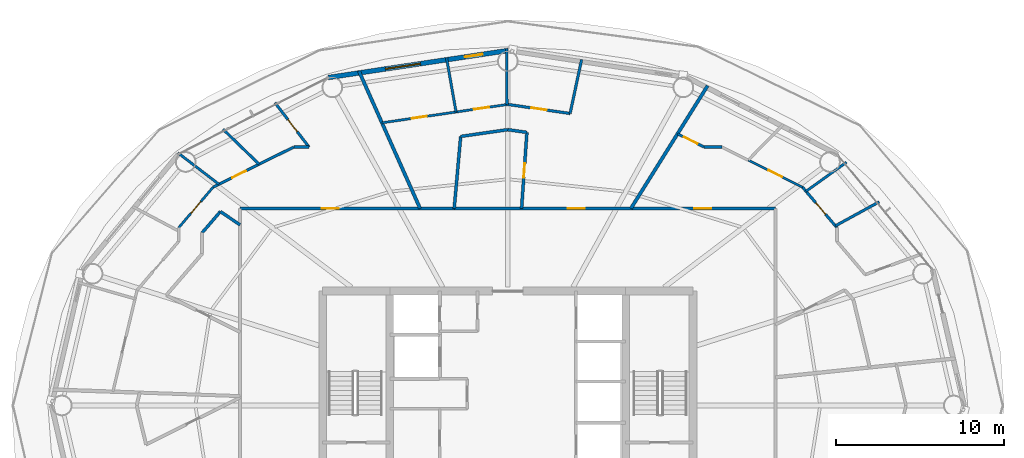
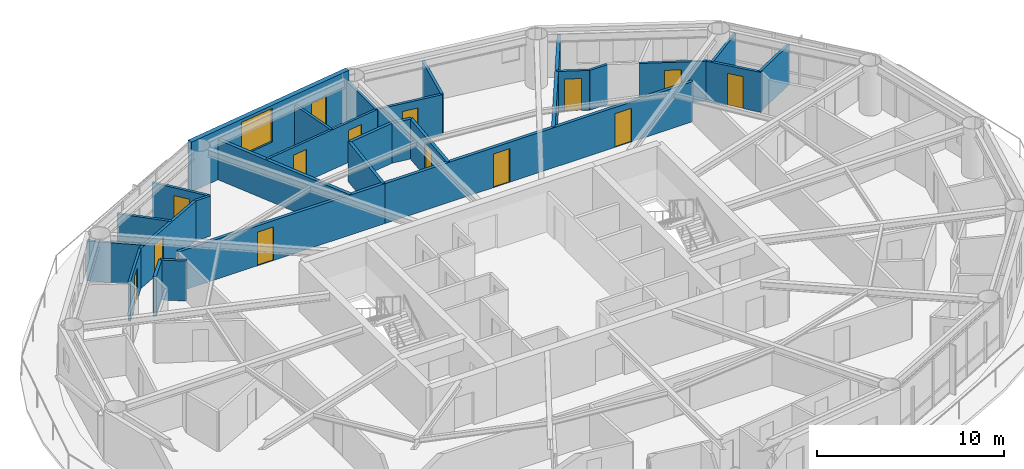
# One storey, part 24 of 28: 28 walls, 14 doors, 1 window, 15 openings.
"""IFC4 building model written with IfcOpenShell, lengths in metres."""

from ifc_helpers import new_model, si_unit, direction, frame, frame_2d, origin, place, context, subcontext, project, spatial, rectangle, extrude, material, layer, layer_set, type_object, element, fill, save


model = new_model("IFC4")

# Units and contexts
model_context = context("Model", 3, precision=1e-05, world=origin(), true_north=direction((0.0, 1.0)))
body_context = subcontext(model_context, "Body", "Model", "MODEL_VIEW")
ifc_project = project(units=[si_unit("LENGTHUNIT", "METRE"), si_unit("AREAUNIT", "SQUARE_METRE"), si_unit("VOLUMEUNIT", "CUBIC_METRE"), si_unit("PLANEANGLEUNIT", "RADIAN"), si_unit("MASSUNIT", "GRAM", prefix="KILO")], contexts=[model_context])

# Site, building, storey
site_placement = place(None, origin())
site = spatial("IfcSite", under=ifc_project, at=site_placement, CompositionType="ELEMENT")
building_placement = place(site_placement, origin())
building = spatial("IfcBuilding", under=site, at=building_placement, Name="Sarneth Arch Tower", CompositionType="ELEMENT")
storey_placement = place(building_placement, frame((0.0, 0.0, 197.39990234375)))
storey = spatial("IfcBuildingStorey", under=building, at=storey_placement, Name="L50", CompositionType="ELEMENT", Elevation=197.39990234375)

# Wall, opening, door
ifc_material_1 = material(Name="Double steel-stud corridor fire wall", Category="steel")
ifc_layer_1 = layer(ifc_material_1, 0.18994140625)
ifc_layer_set_1 = layer_set([ifc_layer_1], Name="Double steel-stud corridor fire wall")
wall_type_1 = type_object("IfcWallType", Name="WALL-CORR-190", PredefinedType="PARTITIONING", material=ifc_layer_set_1)
wall_1_placement = place(storey_placement, frame((32.10009765625, 53.699951171875, 0.0), z_axis=(0.0, 0.0, 1.0), x_axis=(1.0, 0.0, 0.0)))
wall_1 = element("IfcWall", 1, at=wall_1_placement, inside=storey, type_object=wall_type_1, Name="L50 Interior partition W-L50-TP-009", PredefinedType="PARTITIONING", context=body_context, shape_type="SweptSolid", body=[
    extrude(rectangle(XDim=12.748046875, YDim=0.18994140625, at=frame_2d((6.3740234375, 0.0))), origin(), (0.0, 0.0, 1.0), 2.610107421875),
])
opening_1_placement = place(wall_1_placement, frame((4.86279296875, 0.0, 0.0)))
opening_1 = element("IfcOpeningElement", 2, at=opening_1_placement, cuts=wall_1, Name="Opening FD-08", PredefinedType="OPENING", context=body_context, shape_type="SweptSolid", body=[
    extrude(rectangle(XDim=1.0, YDim=2.199951171875, at=frame_2d((0.5, 1.10009765625))), frame((0.0, 0.10498046875, 0.0), z_axis=(0.0, -1.0, 0.0), x_axis=(1.0, 0.0, 0.0)), (0.0, 0.0, 1.0), 0.2099609375),
])
ifc_material_2 = material(Name="Hardwood timber acoustic fire door", Category="wood")
door_type_1 = type_object("IfcDoorType", Name="DR-FD60-1000", OperationType="SINGLE_SWING_LEFT", PredefinedType="DOOR", material=ifc_material_2)
door_1_placement = place(opening_1_placement, origin())
door_1 = element("IfcDoor", 3, at=door_1_placement, inside=storey, type_object=door_type_1, Name="L50 Interior door DR-L50-U3-ENT", OperationType="SINGLE_SWING_LEFT", OverallHeight=2.199951171875, OverallWidth=1.0, PredefinedType="DOOR", context=body_context, shape_type="SweptSolid", body=[
    extrude(rectangle(XDim=1.0, YDim=2.199951171875, at=frame_2d((0.5, 1.10009765625))), frame((0.0, 0.02490234375, 0.0), z_axis=(0.0, -1.0, 0.0), x_axis=(1.0, 0.0, 0.0)), (0.0, 0.0, 1.0), 0.050048828125),
])
fill(opening_1, door_1)

# Wall, openings, doors
wall_2_placement = place(storey_placement, frame((44.783935546875, 53.699951171875, 0.0), z_axis=(0.0, 0.0, 1.0), x_axis=(1.0, 0.0, 0.0)))
wall_2 = element("IfcWall", 4, at=wall_2_placement, inside=storey, type_object=wall_type_1, Name="L50 Interior partition W-L50-TP-001", PredefinedType="PARTITIONING", context=body_context, shape_type="SweptSolid", body=[
    extrude(rectangle(XDim=19.115966796875, YDim=0.18994140625, at=frame_2d((9.55810546875, 0.0))), origin(), (0.0, 0.0, 1.0), 2.610107421875),
])
opening_2_placement = place(wall_2_placement, frame((14.302490234375, 0.0, 0.0)))
opening_2 = element("IfcOpeningElement", 5, at=opening_2_placement, cuts=wall_2, Name="Opening FD-08", PredefinedType="OPENING", context=body_context, shape_type="SweptSolid", body=[
    extrude(rectangle(XDim=1.0, YDim=2.199951171875, at=frame_2d((0.5, 1.10009765625))), frame((0.0, 0.10498046875, 0.0), z_axis=(0.0, -1.0, 0.0), x_axis=(1.0, 0.0, 0.0)), (0.0, 0.0, 1.0), 0.2099609375),
])
opening_3_placement = place(wall_2_placement, frame((6.783203125, 0.0, 0.0)))
opening_3 = element("IfcOpeningElement", 6, at=opening_3_placement, cuts=wall_2, Name="Opening FD-08", PredefinedType="OPENING", context=body_context, shape_type="SweptSolid", body=[
    extrude(rectangle(XDim=1.0, YDim=2.199951171875, at=frame_2d((0.5, 1.10009765625))), frame((0.0, 0.10498046875, 0.0), z_axis=(0.0, -1.0, 0.0), x_axis=(1.0, 0.0, 0.0)), (0.0, 0.0, 1.0), 0.2099609375),
])
door_2_placement = place(opening_2_placement, origin())
door_2 = element("IfcDoor", 7, at=door_2_placement, inside=storey, type_object=door_type_1, Name="L50 Interior door DR-L50-U1-ENT", OperationType="SINGLE_SWING_LEFT", OverallHeight=2.199951171875, OverallWidth=1.0, PredefinedType="DOOR", context=body_context, shape_type="SweptSolid", body=[
    extrude(rectangle(XDim=1.0, YDim=2.199951171875, at=frame_2d((0.5, 1.10009765625))), frame((0.0, 0.02490234375, 0.0), z_axis=(0.0, -1.0, 0.0), x_axis=(1.0, 0.0, 0.0)), (0.0, 0.0, 1.0), 0.050048828125),
])
fill(opening_2, door_2)
door_3_placement = place(opening_3_placement, origin())
door_3 = element("IfcDoor", 8, at=door_3_placement, inside=storey, type_object=door_type_1, Name="L50 Interior door DR-L50-U2-ENT", OperationType="SINGLE_SWING_RIGHT", OverallHeight=2.199951171875, OverallWidth=1.0, PredefinedType="DOOR", context=body_context, shape_type="SweptSolid", body=[
    extrude(rectangle(XDim=1.0, YDim=2.199951171875, at=frame_2d((0.5, 1.10009765625))), frame((0.0, 0.02490234375, 0.0), z_axis=(0.0, -1.0, 0.0), x_axis=(1.0, 0.0, 0.0)), (0.0, 0.0, 1.0), 0.050048828125),
])
fill(opening_3, door_3)

# Wall, openings, door, window
ifc_material_3 = material(Name="Extruded terracotta rainscreen on Concrete C40/50 backing", Category="masonry")
ifc_layer_2 = layer(ifc_material_3, 0.280029296875)
ifc_layer_set_2 = layer_set([ifc_layer_2], Name="Extruded terracotta rainscreen on Concrete C40/50 backing")
wall_type_2 = type_object("IfcWallType", Name="WALL-EXT-TERRA-280", PredefinedType="SOLIDWALL", material=ifc_layer_set_2)
wall_3_placement = place(storey_placement, frame((48.0, 63.080078125, 0.0), z_axis=(0.0, 0.0, 1.0), x_axis=(-0.988863993413, -0.148822049884, 0.0)))
wall_3 = element("IfcWall", 9, at=wall_3_placement, inside=storey, type_object=wall_type_2, Name="L50 Terracotta perimeter wall 05", PredefinedType="SOLIDWALL", context=body_context, shape_type="SweptSolid", body=[
    extrude(rectangle(XDim=10.782958984375, YDim=0.280029296875, at=frame_2d((5.3916015625, 0.0))), origin(), (0.0, 0.0, 1.0), 3.25),
])
opening_4_placement = place(wall_3_placement, frame((1.523681640625, 0.0, 0.0)))
opening_4 = element("IfcOpeningElement", 10, at=opening_4_placement, cuts=wall_3, Name="Opening BD-4", PredefinedType="OPENING", context=body_context, shape_type="SweptSolid", body=[
    extrude(rectangle(XDim=1.050048828125, YDim=2.199951171875, at=frame_2d((0.52490234375, 1.10009765625))), frame((0.0, 0.14990234375, 0.0), z_axis=(0.0, -1.0, 0.0), x_axis=(1.0, 0.0, 0.0)), (0.0, 0.0, 1.0), 0.300048828125),
])
opening_5_placement = place(wall_3_placement, frame((5.245849609375, 0.0, 0.85009765625)))
opening_5 = element("IfcOpeningElement", 11, at=opening_5_placement, cuts=wall_3, Name="Opening W-03", PredefinedType="OPENING", context=body_context, shape_type="SweptSolid", body=[
    extrude(rectangle(XDim=2.10009765625, YDim=2.199951171875, at=frame_2d((1.050048828125, 1.10009765625))), frame((0.0, 0.14990234375, 0.0), z_axis=(0.0, -1.0, 0.0), x_axis=(1.0, 0.0, 0.0)), (0.0, 0.0, 1.0), 0.300048828125),
])
ifc_material_4 = material(Name="Thermally broken Aluminium 6063-T6 and laminated safety glass", Category="aluminium")
door_type_2 = type_object("IfcDoorType", Name="DR-BALC-GLZ-1050", OperationType="SINGLE_SWING_RIGHT", PredefinedType="DOOR", material=ifc_material_4)
door_4_placement = place(opening_4_placement, origin())
door_4 = element("IfcDoor", 12, at=door_4_placement, inside=storey, type_object=door_type_2, Name="L50 Balcony glazed door 05", OperationType="SINGLE_SWING_RIGHT", OverallHeight=2.199951171875, OverallWidth=1.050048828125, PredefinedType="DOOR", context=body_context, shape_type="SweptSolid", body=[
    extrude(rectangle(XDim=1.050048828125, YDim=2.199951171875, at=frame_2d((0.52490234375, 1.10009765625))), frame((0.0, 0.02490234375, 0.0), z_axis=(0.0, -1.0, 0.0), x_axis=(1.0, 0.0, 0.0)), (0.0, 0.0, 1.0), 0.050048828125),
])
fill(opening_4, door_4)
ifc_material_5 = material(Name="Thermally broken Aluminium 6063-T6 and low-e laminated IGU", Category="aluminium")
window_type = type_object("IfcWindowType", Name="WIN-TWR-2100x2200", PartitioningType="DOUBLE_PANEL_VERTICAL", PredefinedType="WINDOW", material=ifc_material_5)
window_placement = place(opening_5_placement, origin())
window = element("IfcWindow", 13, at=window_placement, inside=storey, type_object=window_type, Name="L50 Exterior window 05A", OverallHeight=2.199951171875, OverallWidth=2.10009765625, PartitioningType="SINGLE_PANEL", PredefinedType="WINDOW", context=body_context, shape_type="SweptSolid", body=[
    extrude(rectangle(XDim=2.10009765625, YDim=2.199951171875, at=frame_2d((1.050048828125, 1.10009765625))), frame((0.0, 0.030029296875, 0.0), z_axis=(0.0, -1.0, 0.0), x_axis=(1.0, 0.0, 0.0)), (0.0, 0.0, 1.0), 0.06005859375),
])
fill(opening_5, window)

# Wall, openings, doors
ifc_material_6 = material(Name="Apartment internal stud partition", Category="gypsum")
ifc_layer_3 = layer(ifc_material_6, 0.139892578125)
ifc_layer_set_3 = layer_set([ifc_layer_3], Name="Apartment internal stud partition")
wall_type_3 = type_object("IfcWallType", Name="WALL-PART-140", PredefinedType="PARTITIONING", material=ifc_layer_set_3)
wall_4_placement = place(storey_placement, frame((40.52587890625, 58.786865234375, 0.0), z_axis=(0.0, 0.0, 1.0), x_axis=(0.989472726968, 0.144719461672, 0.0)))
wall_4 = element("IfcWall", 14, at=wall_4_placement, inside=storey, type_object=wall_type_3, Name="L50 Interior partition W-L50-TP-048", PredefinedType="PARTITIONING", context=body_context, shape_type="SweptSolid", body=[
    extrude(rectangle(XDim=7.532470703125, YDim=0.139892578125, at=frame_2d((3.76611328125, 0.0))), origin(), (0.0, 0.0, 1.0), 2.610107421875),
])
opening_6_placement = place(wall_4_placement, frame((1.789794921875, 0.0, 0.0)))
opening_6 = element("IfcOpeningElement", 15, at=opening_6_placement, cuts=wall_4, Name="Opening ID-01", PredefinedType="OPENING", context=body_context, shape_type="SweptSolid", body=[
    extrude(rectangle(XDim=0.89990234375, YDim=2.10009765625, at=frame_2d((0.449951171875, 1.050048828125))), frame((0.0, 0.079833984375, 0.0), z_axis=(0.0, -1.0, 0.0), x_axis=(1.0, 0.0, 0.0)), (0.0, 0.0, 1.0), 0.159912109375),
])
opening_7_placement = place(wall_4_placement, frame((5.523681640625, 0.0, 0.0)))
opening_7 = element("IfcOpeningElement", 16, at=opening_7_placement, cuts=wall_4, Name="Opening ID-01", PredefinedType="OPENING", context=body_context, shape_type="SweptSolid", body=[
    extrude(rectangle(XDim=0.89990234375, YDim=2.10009765625, at=frame_2d((0.449951171875, 1.050048828125))), frame((0.0, 0.079833984375, 0.0), z_axis=(0.0, -1.0, 0.0), x_axis=(1.0, 0.0, 0.0)), (0.0, 0.0, 1.0), 0.159912109375),
])
ifc_material_7 = material(Name="Engineered hardwood flush door", Category="wood")
door_type_3 = type_object("IfcDoorType", Name="DR-INT-900", OperationType="SINGLE_SWING_LEFT", PredefinedType="DOOR", material=ifc_material_7)
door_5_placement = place(opening_6_placement, origin())
door_5 = element("IfcDoor", 17, at=door_5_placement, inside=storey, type_object=door_type_3, Name="L50 Interior door DR-L50-U2-BED2", OperationType="SINGLE_SWING_RIGHT", OverallHeight=2.10009765625, OverallWidth=0.89990234375, PredefinedType="DOOR", context=body_context, shape_type="SweptSolid", body=[
    extrude(rectangle(XDim=0.89990234375, YDim=2.10009765625, at=frame_2d((0.449951171875, 1.050048828125))), frame((0.0, 0.02490234375, 0.0), z_axis=(0.0, -1.0, 0.0), x_axis=(1.0, 0.0, 0.0)), (0.0, 0.0, 1.0), 0.050048828125),
])
fill(opening_6, door_5)
door_6_placement = place(opening_7_placement, origin())
door_6 = element("IfcDoor", 18, at=door_6_placement, inside=storey, type_object=door_type_3, Name="L50 Interior door DR-L50-U2-BED1", OperationType="SINGLE_SWING_LEFT", OverallHeight=2.10009765625, OverallWidth=0.89990234375, PredefinedType="DOOR", context=body_context, shape_type="SweptSolid", body=[
    extrude(rectangle(XDim=0.89990234375, YDim=2.10009765625, at=frame_2d((0.449951171875, 1.050048828125))), frame((0.0, 0.02490234375, 0.0), z_axis=(0.0, -1.0, 0.0), x_axis=(1.0, 0.0, 0.0)), (0.0, 0.0, 1.0), 0.050048828125),
])
fill(opening_7, door_6)

# Wall, opening, door
wall_5_placement = place(storey_placement, frame((65.5048828125, 54.961181640625, 0.0), z_axis=(0.0, 0.0, 1.0), x_axis=(-0.894941244144, 0.4461840086, 0.0)))
wall_5 = element("IfcWall", 19, at=wall_5_placement, inside=storey, type_object=wall_type_3, Name="L50 Interior partition W-L50-TP-029", PredefinedType="PARTITIONING", context=body_context, shape_type="SweptSolid", body=[
    extrude(rectangle(XDim=3.605224609375, YDim=0.139892578125, at=frame_2d((1.802734375, 0.0))), origin(), (0.0, 0.0, 1.0), 2.610107421875),
])
opening_8_placement = place(wall_5_placement, frame((1.3525390625, 0.0, 0.0)))
opening_8 = element("IfcOpeningElement", 20, at=opening_8_placement, cuts=wall_5, Name="Opening ID-01", PredefinedType="OPENING", context=body_context, shape_type="SweptSolid", body=[
    extrude(rectangle(XDim=0.89990234375, YDim=2.10009765625, at=frame_2d((0.449951171875, 1.050048828125))), frame((0.0, 0.079833984375, 0.0), z_axis=(0.0, -1.0, 0.0), x_axis=(1.0, 0.0, 0.0)), (0.0, 0.0, 1.0), 0.159912109375),
])
door_7_placement = place(opening_8_placement, origin())
door_7 = element("IfcDoor", 21, at=door_7_placement, inside=storey, type_object=door_type_3, Name="L50 Interior door DR-L50-U1-BED2", OperationType="SINGLE_SWING_RIGHT", OverallHeight=2.10009765625, OverallWidth=0.89990234375, PredefinedType="DOOR", context=body_context, shape_type="SweptSolid", body=[
    extrude(rectangle(XDim=0.89990234375, YDim=2.10009765625, at=frame_2d((0.449951171875, 1.050048828125))), frame((0.0, 0.02490234375, 0.0), z_axis=(0.0, -1.0, 0.0), x_axis=(1.0, 0.0, 0.0)), (0.0, 0.0, 1.0), 0.050048828125),
])
fill(opening_8, door_7)

wall_6_placement = place(storey_placement, frame((28.449951171875, 52.556640625, 0.0), z_axis=(0.0, 0.0, 1.0), x_axis=(0.647888606369, 0.761735094201, 0.0)))
wall_6 = element("IfcWall", 22, at=wall_6_placement, inside=storey, type_object=wall_type_3, Name="L50 Interior partition W-L50-TP-063", PredefinedType="PARTITIONING", context=body_context, shape_type="SweptSolid", body=[
    extrude(rectangle(XDim=3.15673828125, YDim=0.139892578125, at=frame_2d((1.578369140625, 0.0))), origin(), (0.0, 0.0, 1.0), 2.610107421875),
])
opening_9_placement = place(wall_6_placement, frame((1.12841796875, 0.0, 0.0)))
opening_9 = element("IfcOpeningElement", 23, at=opening_9_placement, cuts=wall_6, Name="Opening ID-01", PredefinedType="OPENING", context=body_context, shape_type="SweptSolid", body=[
    extrude(rectangle(XDim=0.89990234375, YDim=2.10009765625, at=frame_2d((0.449951171875, 1.050048828125))), frame((0.0, 0.079833984375, 0.0), z_axis=(0.0, -1.0, 0.0), x_axis=(1.0, 0.0, 0.0)), (0.0, 0.0, 1.0), 0.159912109375),
])
door_8_placement = place(opening_9_placement, origin())
door_8 = element("IfcDoor", 24, at=door_8_placement, inside=storey, type_object=door_type_3, Name="L50 Interior door DR-L50-U3-BED1", OperationType="SINGLE_SWING_RIGHT", OverallHeight=2.10009765625, OverallWidth=0.89990234375, PredefinedType="DOOR", context=body_context, shape_type="SweptSolid", body=[
    extrude(rectangle(XDim=0.89990234375, YDim=2.10009765625, at=frame_2d((0.449951171875, 1.050048828125))), frame((0.0, 0.02490234375, 0.0), z_axis=(0.0, -1.0, 0.0), x_axis=(1.0, 0.0, 0.0)), (0.0, 0.0, 1.0), 0.050048828125),
])
fill(opening_9, door_8)

# Walls
ifc_material_8 = material(Name="Acoustic gypsum stud partition", Category="gypsum")
ifc_layer_4 = layer(ifc_material_8, 0.14990234375)
ifc_layer_set_4 = layer_set([ifc_layer_4], Name="Acoustic gypsum stud partition")
wall_type_4 = type_object("IfcWallType", Name="WALL-PART-150", PredefinedType="PARTITIONING", material=ifc_layer_set_4)
wall_7_placement = place(storey_placement, frame((44.926513671875, 59.430419921875, 0.0), z_axis=(0.0, 0.0, 1.0), x_axis=(-0.17359807558, 0.984816586048, 0.0)))
element("IfcWall", 25, at=wall_7_placement, inside=storey, type_object=wall_type_4, Name="L50 Interior partition W-L50-TP-051", PredefinedType="PARTITIONING", context=body_context, shape_type="SweptSolid", body=[
    extrude(rectangle(XDim=3.272705078125, YDim=0.14990234375, at=frame_2d((1.63623046875, 0.0))), origin(), (0.0, 0.0, 1.0), 2.610107421875),
])
wall_8_placement = place(storey_placement, frame((30.845703125, 55.135986328125, 0.0), z_axis=(0.0, 0.0, 1.0), x_axis=(-0.793971553825, 0.607954909279, 0.0)))
element("IfcWall", 26, at=wall_8_placement, inside=storey, type_object=wall_type_4, Name="L50 Interior partition W-L50-TP-072", PredefinedType="PARTITIONING", context=body_context, shape_type="SweptSolid", body=[
    extrude(rectangle(XDim=3.0869140625, YDim=0.14990234375, at=frame_2d((1.54345703125, 0.0))), origin(), (0.0, 0.0, 1.0), 2.610107421875),
])
wall_9_placement = place(storey_placement, frame((68.11328125, 56.4443359375, 0.0), z_axis=(0.0, 0.0, 1.0), x_axis=(-0.812258557349, -0.583297553581, 0.0)))
element("IfcWall", 27, at=wall_9_placement, inside=storey, type_object=wall_type_4, Name="L50 Interior partition W-L50-TP-038", PredefinedType="PARTITIONING", context=body_context, shape_type="SweptSolid", body=[
    extrude(rectangle(XDim=2.9580078125, YDim=0.14990234375, at=frame_2d((1.47900390625, 0.0))), origin(), (0.0, 0.0, 1.0), 2.610107421875),
])

# Wall, opening, door
wall_10_placement = place(storey_placement, frame((59.651123046875, 57.35009765625, 0.0), z_axis=(0.0, 0.0, 1.0), x_axis=(-0.895038630404, 0.445988621027, 0.0)))
wall_10 = element("IfcWall", 28, at=wall_10_placement, inside=storey, type_object=wall_type_4, Name="L50 Interior partition W-L50-TP-032", PredefinedType="PARTITIONING", context=body_context, shape_type="SweptSolid", body=[
    extrude(rectangle(XDim=1.75439453125, YDim=0.14990234375, at=frame_2d((0.877197265625, 0.0))), origin(), (0.0, 0.0, 1.0), 2.610107421875),
])
opening_10_placement = place(wall_10_placement, frame((0.42724609375, 0.0, 0.0)))
opening_10 = element("IfcOpeningElement", 29, at=opening_10_placement, cuts=wall_10, Name="Opening ID-01", PredefinedType="OPENING", context=body_context, shape_type="SweptSolid", body=[
    extrude(rectangle(XDim=0.89990234375, YDim=2.10009765625, at=frame_2d((0.449951171875, 1.050048828125))), frame((0.0, 0.0849609375, 0.0), z_axis=(0.0, -1.0, 0.0), x_axis=(1.0, 0.0, 0.0)), (0.0, 0.0, 1.0), 0.169921875),
])
door_9_placement = place(opening_10_placement, origin())
door_9 = element("IfcDoor", 30, at=door_9_placement, inside=storey, type_object=door_type_3, Name="L50 Interior door DR-L50-U1-BED3", OperationType="SINGLE_SWING_RIGHT", OverallHeight=2.10009765625, OverallWidth=0.89990234375, PredefinedType="DOOR", context=body_context, shape_type="SweptSolid", body=[
    extrude(rectangle(XDim=0.89990234375, YDim=2.10009765625, at=frame_2d((0.449951171875, 1.050048828125))), frame((0.0, 0.02490234375, 0.0), z_axis=(0.0, -1.0, 0.0), x_axis=(1.0, 0.0, 0.0)), (0.0, 0.0, 1.0), 0.050048828125),
])
fill(opening_10, door_9)

# Wall
wall_11_placement = place(storey_placement, frame((60.71337890625, 57.35009765625, 0.0), z_axis=(0.0, 0.0, 1.0), x_axis=(-1.0, 0.0, 0.0)))
element("IfcWall", 31, at=wall_11_placement, inside=storey, type_object=wall_type_4, Name="L50 Interior partition W-L50-TP-031", PredefinedType="PARTITIONING", context=body_context, shape_type="SweptSolid", body=[
    extrude(rectangle(XDim=1.062255859375, YDim=0.14990234375, at=frame_2d((0.53125, 0.0))), origin(), (0.0, 0.0, 1.0), 2.610107421875),
])

# Wall, opening, door
ifc_material_9 = material(Name="Kitchen wet service chase wall", Category="gypsum")
ifc_layer_5 = layer(ifc_material_9, 0.159912109375)
ifc_layer_set_5 = layer_set([ifc_layer_5], Name="Kitchen wet service chase wall")
wall_type_5 = type_object("IfcWallType", Name="WALL-PLUMB-160", PredefinedType="PLUMBINGWALL", material=ifc_layer_set_5)
wall_12_placement = place(storey_placement, frame((51.698974609375, 59.339111328125, 0.0), z_axis=(0.0, 0.0, 1.0), x_axis=(-0.98948182168, 0.144657265858, 0.0)))
wall_12 = element("IfcWall", 32, at=wall_12_placement, inside=storey, type_object=wall_type_5, Name="L50 Interior partition W-L50-TP-042", PredefinedType="PLUMBINGWALL", context=body_context, shape_type="SweptSolid", body=[
    extrude(rectangle(XDim=3.73828125, YDim=0.159912109375, at=frame_2d((1.869140625, 0.0))), origin(), (0.0, 0.0, 1.0), 2.610107421875),
])
opening_11_placement = place(wall_12_placement, frame((1.419189453125, 0.0, 0.0)))
opening_11 = element("IfcOpeningElement", 33, at=opening_11_placement, cuts=wall_12, Name="Opening ID-01", PredefinedType="OPENING", context=body_context, shape_type="SweptSolid", body=[
    extrude(rectangle(XDim=0.89990234375, YDim=2.10009765625, at=frame_2d((0.449951171875, 1.050048828125))), frame((0.0, 0.08984375, 0.0), z_axis=(0.0, -1.0, 0.0), x_axis=(1.0, 0.0, 0.0)), (0.0, 0.0, 1.0), 0.179931640625),
])
door_10_placement = place(opening_11_placement, origin())
door_10 = element("IfcDoor", 34, at=door_10_placement, inside=storey, type_object=door_type_3, Name="L50 Interior door DR-L50-U2-KIT", OperationType="SINGLE_SWING_LEFT", OverallHeight=2.10009765625, OverallWidth=0.89990234375, PredefinedType="DOOR", context=body_context, shape_type="SweptSolid", body=[
    extrude(rectangle(XDim=0.89990234375, YDim=2.10009765625, at=frame_2d((0.449951171875, 1.050048828125))), frame((0.0, 0.02490234375, 0.0), z_axis=(0.0, -1.0, 0.0), x_axis=(1.0, 0.0, 0.0)), (0.0, 0.0, 1.0), 0.050048828125),
])
fill(opening_11, door_10)

wall_13_placement = place(storey_placement, frame((36.19189453125, 57.35009765625, 0.0), z_axis=(0.0, 0.0, 1.0), x_axis=(-0.60972852226, 0.792610326164, 0.0)))
wall_13 = element("IfcWall", 35, at=wall_13_placement, inside=storey, type_object=wall_type_5, Name="L50 Interior partition W-L50-TP-056", PredefinedType="PLUMBINGWALL", context=body_context, shape_type="SweptSolid", body=[
    extrude(rectangle(XDim=3.3212890625, YDim=0.159912109375, at=frame_2d((1.66064453125, 0.0))), origin(), (0.0, 0.0, 1.0), 2.610107421875),
])
opening_12_placement = place(wall_13_placement, frame((1.150634765625, 0.0, 0.0)))
opening_12 = element("IfcOpeningElement", 36, at=opening_12_placement, cuts=wall_13, Name="Opening ID-01", PredefinedType="OPENING", context=body_context, shape_type="SweptSolid", body=[
    extrude(rectangle(XDim=0.89990234375, YDim=2.10009765625, at=frame_2d((0.449951171875, 1.050048828125))), frame((0.0, 0.08984375, 0.0), z_axis=(0.0, -1.0, 0.0), x_axis=(1.0, 0.0, 0.0)), (0.0, 0.0, 1.0), 0.179931640625),
])
door_11_placement = place(opening_12_placement, origin())
door_11 = element("IfcDoor", 37, at=door_11_placement, inside=storey, type_object=door_type_3, Name="L50 Interior door DR-L50-U3-KIT", OperationType="SINGLE_SWING_RIGHT", OverallHeight=2.10009765625, OverallWidth=0.89990234375, PredefinedType="DOOR", context=body_context, shape_type="SweptSolid", body=[
    extrude(rectangle(XDim=0.89990234375, YDim=2.10009765625, at=frame_2d((0.449951171875, 1.050048828125))), frame((0.0, 0.02490234375, 0.0), z_axis=(0.0, -1.0, 0.0), x_axis=(1.0, 0.0, 0.0)), (0.0, 0.0, 1.0), 0.050048828125),
])
fill(opening_12, door_11)

# Walls
wall_14_placement = place(storey_placement, frame((47.947021484375, 59.872314453125, 0.0), z_axis=(0.0, 0.0, 1.0), x_axis=(-0.003016466559, 0.999995450454, 0.0)))
element("IfcWall", 38, at=wall_14_placement, inside=storey, type_object=wall_type_5, Name="L50 Interior partition W-L50-TP-050", PredefinedType="PLUMBINGWALL", context=body_context, shape_type="SweptSolid", body=[
    extrude(rectangle(XDim=3.318359375, YDim=0.159912109375, at=frame_2d((1.6591796875, 0.0))), origin(), (0.0, 0.0, 1.0), 2.610107421875),
])
wall_15_placement = place(storey_placement, frame((52.382080078125, 62.541748046875, 0.0), z_axis=(0.0, 0.0, 1.0), x_axis=(-0.208602341862, -0.97800054344, 0.0)))
element("IfcWall", 39, at=wall_15_placement, inside=storey, type_object=wall_type_5, Name="L50 Interior partition W-L50-TP-041", PredefinedType="PLUMBINGWALL", context=body_context, shape_type="SweptSolid", body=[
    extrude(rectangle(XDim=3.274658203125, YDim=0.159912109375, at=frame_2d((1.63720703125, 0.0))), origin(), (0.0, 0.0, 1.0), 2.610107421875),
])
wall_16_placement = place(storey_placement, frame((31.09130859375, 58.40087890625, 0.0), z_axis=(0.0, 0.0, 1.0), x_axis=(0.717793726231, -0.696255819785, 0.0)))
element("IfcWall", 40, at=wall_16_placement, inside=storey, type_object=wall_type_5, Name="L50 Interior partition W-L50-TP-071", PredefinedType="PLUMBINGWALL", context=body_context, shape_type="SweptSolid", body=[
    extrude(rectangle(XDim=2.981201171875, YDim=0.159912109375, at=frame_2d((1.49072265625, 0.0))), origin(), (0.0, 0.0, 1.0), 2.610107421875),
])
wall_17_placement = place(storey_placement, frame((67.455322265625, 52.667724609375, 0.0), z_axis=(0.0, 0.0, 1.0), x_axis=(0.876839283097, 0.480783601653, 0.0)))
element("IfcWall", 41, at=wall_17_placement, inside=storey, type_object=wall_type_5, Name="L50 Interior partition W-L50-TP-036", PredefinedType="PLUMBINGWALL", context=body_context, shape_type="SweptSolid", body=[
    extrude(rectangle(XDim=2.965087890625, YDim=0.159912109375, at=frame_2d((1.482421875, 0.0))), origin(), (0.0, 0.0, 1.0), 2.610107421875),
])

# Wall, opening, door
wall_18_placement = place(storey_placement, frame((65.5048828125, 54.961181640625, 0.0), z_axis=(0.0, 0.0, 1.0), x_axis=(0.647888606369, -0.761735094201, 0.0)))
wall_18 = element("IfcWall", 42, at=wall_18_placement, inside=storey, type_object=wall_type_5, Name="L50 Interior partition W-L50-TP-027", PredefinedType="PLUMBINGWALL", context=body_context, shape_type="SweptSolid", body=[
    extrude(rectangle(XDim=3.15673828125, YDim=0.159912109375, at=frame_2d((1.578369140625, 0.0))), origin(), (0.0, 0.0, 1.0), 2.610107421875),
])
opening_13_placement = place(wall_18_placement, frame((1.214599609375, 0.0, 0.0)))
opening_13 = element("IfcOpeningElement", 43, at=opening_13_placement, cuts=wall_18, Name="Opening ID-01", PredefinedType="OPENING", context=body_context, shape_type="SweptSolid", body=[
    extrude(rectangle(XDim=0.89990234375, YDim=2.10009765625, at=frame_2d((0.449951171875, 1.050048828125))), frame((0.0, 0.08984375, 0.0), z_axis=(0.0, -1.0, 0.0), x_axis=(1.0, 0.0, 0.0)), (0.0, 0.0, 1.0), 0.179931640625),
])
door_12_placement = place(opening_13_placement, origin())
door_12 = element("IfcDoor", 44, at=door_12_placement, inside=storey, type_object=door_type_3, Name="L50 Interior door DR-L50-U1-BED1", OperationType="SINGLE_SWING_LEFT", OverallHeight=2.10009765625, OverallWidth=0.89990234375, PredefinedType="DOOR", context=body_context, shape_type="SweptSolid", body=[
    extrude(rectangle(XDim=0.89990234375, YDim=2.10009765625, at=frame_2d((0.449951171875, 1.050048828125))), frame((0.0, 0.02490234375, 0.0), z_axis=(0.0, -1.0, 0.0), x_axis=(1.0, 0.0, 0.0)), (0.0, 0.0, 1.0), 0.050048828125),
])
fill(opening_13, door_12)

wall_19_placement = place(storey_placement, frame((30.4951171875, 54.961181640625, 0.0), z_axis=(0.0, 0.0, 1.0), x_axis=(0.894955531207, 0.446155350929, 0.0)))
wall_19 = element("IfcWall", 45, at=wall_19_placement, inside=storey, type_object=wall_type_5, Name="L50 Interior partition W-L50-TP-053", PredefinedType="PLUMBINGWALL", context=body_context, shape_type="SweptSolid", body=[
    extrude(rectangle(XDim=5.35400390625, YDim=0.159912109375, at=frame_2d((2.677001953125, 0.0))), origin(), (0.0, 0.0, 1.0), 2.610107421875),
])
opening_14_placement = place(wall_19_placement, frame((1.2734375, 0.0, 0.0)))
opening_14 = element("IfcOpeningElement", 46, at=opening_14_placement, cuts=wall_19, Name="Opening ID-01", PredefinedType="OPENING", context=body_context, shape_type="SweptSolid", body=[
    extrude(rectangle(XDim=0.89990234375, YDim=2.10009765625, at=frame_2d((0.449951171875, 1.050048828125))), frame((0.0, 0.08984375, 0.0), z_axis=(0.0, -1.0, 0.0), x_axis=(1.0, 0.0, 0.0)), (0.0, 0.0, 1.0), 0.179931640625),
])
door_13_placement = place(opening_14_placement, origin())
door_13 = element("IfcDoor", 47, at=door_13_placement, inside=storey, type_object=door_type_3, Name="L50 Interior door DR-L50-U3-STD", OperationType="SINGLE_SWING_LEFT", OverallHeight=2.10009765625, OverallWidth=0.89990234375, PredefinedType="DOOR", context=body_context, shape_type="SweptSolid", body=[
    extrude(rectangle(XDim=0.89990234375, YDim=2.10009765625, at=frame_2d((0.449951171875, 1.050048828125))), frame((0.0, 0.02490234375, 0.0), z_axis=(0.0, -1.0, 0.0), x_axis=(1.0, 0.0, 0.0)), (0.0, 0.0, 1.0), 0.050048828125),
])
fill(opening_14, door_13)

# Wall
wall_20_placement = place(storey_placement, frame((35.28662109375, 57.35009765625, 0.0), z_axis=(0.0, 0.0, 1.0), x_axis=(1.0, 0.0, 0.0)))
element("IfcWall", 48, at=wall_20_placement, inside=storey, type_object=wall_type_5, Name="L50 Interior partition W-L50-TP-055", PredefinedType="PLUMBINGWALL", context=body_context, shape_type="SweptSolid", body=[
    extrude(rectangle(XDim=0.9052734375, YDim=0.159912109375, at=frame_2d((0.45263671875, 0.0))), origin(), (0.0, 0.0, 1.0), 2.610107421875),
])

# Wall, opening, door
ifc_material_10 = material(Name="Moisture-resistant plumbing chase wall", Category="gypsum")
ifc_layer_6 = layer(ifc_material_10, 0.179931640625)
ifc_layer_set_6 = layer_set([ifc_layer_6], Name="Moisture-resistant plumbing chase wall")
wall_type_6 = type_object("IfcWallType", Name="WALL-PLUMB-180", PredefinedType="PLUMBINGWALL", material=ifc_layer_set_6)
wall_21_placement = place(storey_placement, frame((49.134033203125, 58.217041015625, 0.0), z_axis=(0.0, 0.0, 1.0), x_axis=(-0.069767962458, -0.997563246824, 0.0)))
wall_21 = element("IfcWall", 49, at=wall_21_placement, inside=storey, type_object=wall_type_6, Name="L50 Interior partition W-L50-TP-046", PredefinedType="PLUMBINGWALL", context=body_context, shape_type="SweptSolid", body=[
    extrude(rectangle(XDim=4.528076171875, YDim=0.179931640625, at=frame_2d((2.26416015625, 0.0))), origin(), (0.0, 0.0, 1.0), 2.610107421875),
])
opening_15_placement = place(wall_21_placement, frame((1.839111328125, 0.0, 0.0)))
opening_15 = element("IfcOpeningElement", 50, at=opening_15_placement, cuts=wall_21, Name="Opening ID-02", PredefinedType="OPENING", context=body_context, shape_type="SweptSolid", body=[
    extrude(rectangle(XDim=0.85009765625, YDim=2.10009765625, at=frame_2d((0.425048828125, 1.050048828125))), frame((0.0, 0.099853515625, 0.0), z_axis=(0.0, -1.0, 0.0), x_axis=(1.0, 0.0, 0.0)), (0.0, 0.0, 1.0), 0.199951171875),
])
ifc_material_11 = material(Name="Moisture-resistant bathroom timber door", Category="wood")
door_type_4 = type_object("IfcDoorType", Name="DR-INT-850", OperationType="SINGLE_SWING_RIGHT", PredefinedType="DOOR", material=ifc_material_11)
door_14_placement = place(opening_15_placement, origin())
door_14 = element("IfcDoor", 51, at=door_14_placement, inside=storey, type_object=door_type_4, Name="L50 Interior door DR-L50-U2-BATH", OperationType="SINGLE_SWING_LEFT", OverallHeight=2.10009765625, OverallWidth=0.85009765625, PredefinedType="DOOR", context=body_context, shape_type="SweptSolid", body=[
    extrude(rectangle(XDim=0.85009765625, YDim=2.10009765625, at=frame_2d((0.425048828125, 1.050048828125))), frame((0.0, 0.02490234375, 0.0), z_axis=(0.0, -1.0, 0.0), x_axis=(1.0, 0.0, 0.0)), (0.0, 0.0, 1.0), 0.050048828125),
])
fill(opening_15, door_14)

# Walls
wall_22_placement = place(storey_placement, frame((44.816162109375, 53.699951171875, 0.0), z_axis=(0.0, 0.0, 1.0), x_axis=(0.089418344166, 0.995994156472, 0.0)))
element("IfcWall", 52, at=wall_22_placement, inside=storey, type_object=wall_type_6, Name="L50 Interior partition W-L50-TP-043", PredefinedType="PLUMBINGWALL", context=body_context, shape_type="SweptSolid", body=[
    extrude(rectangle(XDim=4.294677734375, YDim=0.179931640625, at=frame_2d((2.1474609375, 0.0))), origin(), (0.0, 0.0, 1.0), 2.610107421875),
])
wall_23_placement = place(storey_placement, frame((45.2001953125, 57.9775390625, 0.0), z_axis=(0.0, 0.0, 1.0), x_axis=(0.98983176764, 0.142243002535, 0.0)))
element("IfcWall", 53, at=wall_23_placement, inside=storey, type_object=wall_type_6, Name="L50 Interior partition W-L50-TP-044", PredefinedType="PLUMBINGWALL", context=body_context, shape_type="SweptSolid", body=[
    extrude(rectangle(XDim=2.82861328125, YDim=0.179931640625, at=frame_2d((1.414306640625, 0.0))), origin(), (0.0, 0.0, 1.0), 2.610107421875),
])
wall_24_placement = place(storey_placement, frame((29.85009765625, 52.261962890625, 0.0), z_axis=(0.0, 0.0, 1.0), x_axis=(0.652334661778, 0.757931058239, 0.0)))
element("IfcWall", 54, at=wall_24_placement, inside=storey, type_object=wall_type_6, Name="L50 Interior partition W-L50-TP-060", PredefinedType="PLUMBINGWALL", context=body_context, shape_type="SweptSolid", body=[
    extrude(rectangle(XDim=1.653076171875, YDim=0.179931640625, at=frame_2d((0.82666015625, 0.0))), origin(), (0.0, 0.0, 1.0), 2.610107421875),
])
wall_25_placement = place(storey_placement, frame((30.928466796875, 53.514892578125, 0.0), z_axis=(0.0, 0.0, 1.0), x_axis=(0.829034879431, -0.55919689617, 0.0)))
element("IfcWall", 55, at=wall_25_placement, inside=storey, type_object=wall_type_6, Name="L50 Interior partition W-L50-TP-061", PredefinedType="PLUMBINGWALL", context=body_context, shape_type="SweptSolid", body=[
    extrude(rectangle(XDim=1.413330078125, YDim=0.179931640625, at=frame_2d((0.70654296875, 0.0))), origin(), (0.0, 0.0, 1.0), 2.610107421875),
])
wall_26_placement = place(storey_placement, frame((48.0, 58.3798828125, 0.0), z_axis=(0.0, 0.0, 1.0), x_axis=(0.989846946984, -0.142137333399, 0.0)))
element("IfcWall", 56, at=wall_26_placement, inside=storey, type_object=wall_type_6, Name="L50 Interior partition W-L50-TP-045", PredefinedType="PLUMBINGWALL", context=body_context, shape_type="SweptSolid", body=[
    extrude(rectangle(XDim=1.145751953125, YDim=0.179931640625, at=frame_2d((0.57275390625, 0.0))), origin(), (0.0, 0.0, 1.0), 2.610107421875),
])
ifc_material_12 = material(Name="Double steel-stud acoustic drywall", Category="steel")
ifc_layer_7 = layer(ifc_material_12, 0.199951171875)
ifc_layer_set_7 = layer_set([ifc_layer_7], Name="Double steel-stud acoustic drywall")
wall_type_7 = type_object("IfcWallType", Name="WALL-UNIT-200", PredefinedType="PARTITIONING", material=ifc_layer_set_7)
wall_27_placement = place(storey_placement, frame((42.790771484375, 53.699951171875, 0.0), z_axis=(0.0, 0.0, 1.0), x_axis=(-0.406736436421, 0.913545549651, 0.0)))
element("IfcWall", 57, at=wall_27_placement, inside=storey, type_object=wall_type_7, Name="L50 Interior partition W-L50-TP-049", PredefinedType="PARTITIONING", context=body_context, shape_type="SweptSolid", body=[
    extrude(rectangle(XDim=8.938720703125, YDim=0.199951171875, at=frame_2d((4.46923828125, 0.0))), origin(), (0.0, 0.0, 1.0), 2.610107421875),
])
wall_28_placement = place(storey_placement, frame((55.31103515625, 53.699951171875, 0.0), z_axis=(0.0, 0.0, 1.0), x_axis=(0.529914717401, 0.848050937315, 0.0)))
element("IfcWall", 58, at=wall_28_placement, inside=storey, type_object=wall_type_7, Name="L50 Interior partition W-L50-TP-033", PredefinedType="PARTITIONING", context=body_context, shape_type="SweptSolid", body=[
    extrude(rectangle(XDim=8.598876953125, YDim=0.199951171875, at=frame_2d((4.29931640625, 0.0))), origin(), (0.0, 0.0, 1.0), 2.610107421875),
])

save(model, "model.ifc")
